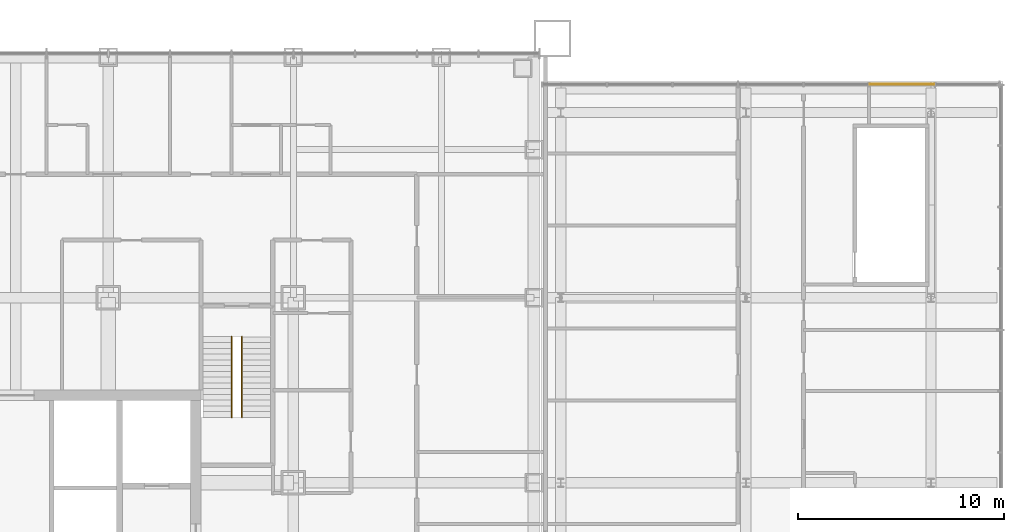
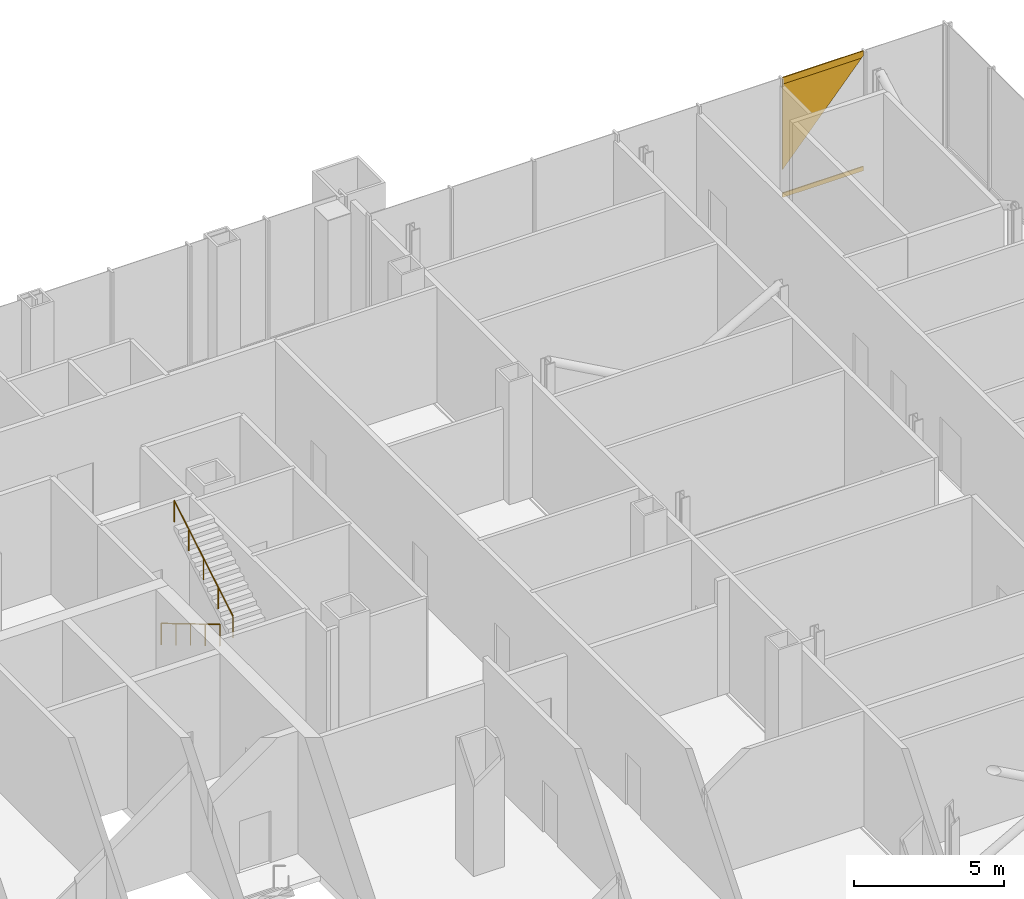
# One storey, part 26 of 28: 3 coverings, 2 railings.
"""IFC4 building model written with IfcOpenShell, lengths in metres."""

from ifc_helpers import new_model, si_unit, direction, frame, origin, origin_2d, place, context, subcontext, project, spatial, polyline, circle, outline, extrude, material, layer, layer_set, type_object, element, save


model = new_model("IFC4")

# Units and contexts
model_context = context("Model", 3, precision=1e-05, world=origin(), true_north=direction((0.0, 1.0)))
body_context = subcontext(model_context, "Body", "Model", "MODEL_VIEW")
ifc_project = project(units=[si_unit("LENGTHUNIT", "METRE"), si_unit("AREAUNIT", "SQUARE_METRE"), si_unit("VOLUMEUNIT", "CUBIC_METRE"), si_unit("PLANEANGLEUNIT", "RADIAN"), si_unit("MASSUNIT", "GRAM", prefix="KILO")], contexts=[model_context])

# Site, building, storey
site_placement = place(None, origin())
site = spatial("IfcSite", under=ifc_project, at=site_placement, CompositionType="ELEMENT")
building_placement = place(site_placement, origin())
building = spatial("IfcBuilding", under=site, at=building_placement, Name="Malebo Sky Hospital", CompositionType="ELEMENT")
storey_placement = place(building_placement, frame((0.0, 0.0, 21.0)))
storey = spatial("IfcBuildingStorey", under=building, at=storey_placement, Name="L04", CompositionType="ELEMENT", Elevation=21.0)

# Coverings
ifc_material_1 = material(Name="Anodised aluminium, natural silver insulated infill panel", Category="aluminium")
ifc_layer = layer(ifc_material_1, 0.0400390625)
ifc_layer_set = layer_set([ifc_layer], Name="BRACE INFILL PANEL 40")
covering_type = type_object("IfcCoveringType", Name="BRACE INFILL PANEL 40", PredefinedType="CLADDING", material=ifc_layer_set)
covering_1_placement = place(storey_placement, frame((103.05615234375, 85.875, 1.23681640625), z_axis=(0.0, 0.0, 1.0), x_axis=(-1.0, 0.0, 0.0)))
element("IfcCovering", 1, at=covering_1_placement, inside=storey, type_object=covering_type, Name="Brace infill panel 2.1", PredefinedType="CLADDING", context=body_context, shape_type="SweptSolid", body=[
    extrude(outline(polyline([(1.5224609375, 0.0), (1.5224609375, 3.483154296875), (-1.5224609375, 3.483154296875), (1.5224609375, 0.0)])), frame((0.0, 0.02001953125, 0.0), z_axis=(0.0, -1.0, 0.0), x_axis=(1.0, 0.0, 0.0)), (0.0, 0.0, 1.0), 0.0400390625),
])
covering_2_placement = place(storey_placement, frame((103.091064453125, 85.875, 0.10009765625), z_axis=(0.0, 0.0, 1.0), x_axis=(-1.0, 0.0, 0.0)))
element("IfcCovering", 2, at=covering_2_placement, inside=storey, type_object=covering_type, Name="Brace infill panel 2.2", PredefinedType="CLADDING", context=body_context, shape_type="SweptSolid", body=[
    extrude(outline(polyline([(-1.55712890625, 0.0), (1.55712890625, 0.0), (1.55712890625, 0.18017578125), (-1.55712890625, 0.18017578125), (-1.55712890625, 0.0)])), frame((0.0, 0.02001953125, 0.0), z_axis=(0.0, -1.0, 0.0), x_axis=(1.0, 0.0, 0.0)), (0.0, 0.0, 1.0), 0.0400390625),
])
covering_3_placement = place(storey_placement, frame((103.091064453125, 85.875, 4.7197265625), z_axis=(0.0, 0.0, 1.0), x_axis=(-1.0, 0.0, 0.0)))
element("IfcCovering", 3, at=covering_3_placement, inside=storey, type_object=covering_type, Name="Brace infill panel 2.3", PredefinedType="CLADDING", context=body_context, shape_type="SweptSolid", body=[
    extrude(outline(polyline([(-1.487548828125, 0.0), (1.55712890625, 0.0), (1.55712890625, 0.270263671875), (-1.55712890625, 0.270263671875), (-1.55712890625, 0.07958984375), (-1.487548828125, 0.0)])), frame((0.0, 0.02001953125, 0.0), z_axis=(0.0, -1.0, 0.0), x_axis=(1.0, 0.0, 0.0)), (0.0, 0.0, 1.0), 0.0400390625),
])

# Railings
ifc_material_2 = material(Name="Stainless steel tube", Category="steel")
railing_type = type_object("IfcRailingType", Name="STAIR HANDRAIL 900", PredefinedType="HANDRAIL", material=ifc_material_2)
railing_1_placement = place(storey_placement, frame((70.5, 73.60009765625, 0.166748046875)))
element("IfcRailing", 4, at=railing_1_placement, inside=storey, type_object=railing_type, Name="Stair handrail S3 flight 1", PredefinedType="HANDRAIL", context=body_context, shape_type="SweptSolid", body=[
    extrude(circle(Radius=0.02392578125, at=origin_2d()), frame((0.0, 0.0, 0.8759765625), z_axis=(0.0, -0.859310244771, 0.511454693235), x_axis=(1.0, 0.0, 0.0)), (0.0, 0.0, 1.0), 4.56201171875),
    extrude(circle(Radius=0.02099609375, at=origin_2d()), origin(), (0.0, 0.0, 1.0), 0.851806640625),
    extrude(circle(Radius=0.02099609375, at=origin_2d()), frame((0.0, -0.97998046875, 0.583251953125)), (0.0, 0.0, 1.0), 0.851806640625),
    extrude(circle(Radius=0.02099609375, at=origin_2d()), frame((0.0, -1.9599609375, 1.16650390625)), (0.0, 0.0, 1.0), 0.851806640625),
    extrude(circle(Radius=0.02099609375, at=origin_2d()), frame((0.0, -2.940185546875, 1.75)), (0.0, 0.0, 1.0), 0.851806640625),
    extrude(circle(Radius=0.02099609375, at=origin_2d()), frame((0.0, -3.920166015625, 2.333251953125)), (0.0, 0.0, 1.0), 0.851806640625),
])
railing_2_placement = place(storey_placement, frame((71.0, 69.679931640625, 2.666748046875)))
element("IfcRailing", 5, at=railing_2_placement, inside=storey, type_object=railing_type, Name="Stair handrail S3 flight 2", PredefinedType="HANDRAIL", context=body_context, shape_type="SweptSolid", body=[
    extrude(circle(Radius=0.02392578125, at=origin_2d()), frame((0.0, 0.0, 0.8759765625), z_axis=(0.0, 0.859310244771, 0.511454693235), x_axis=(-1.0, 0.0, 0.0)), (0.0, 0.0, 1.0), 4.56201171875),
    extrude(circle(Radius=0.02099609375, at=origin_2d()), origin(), (0.0, 0.0, 1.0), 0.851806640625),
    extrude(circle(Radius=0.02099609375, at=origin_2d()), frame((0.0, 0.97998046875, 0.583251953125)), (0.0, 0.0, 1.0), 0.851806640625),
    extrude(circle(Radius=0.02099609375, at=origin_2d()), frame((0.0, 1.9599609375, 1.16650390625)), (0.0, 0.0, 1.0), 0.851806640625),
    extrude(circle(Radius=0.02099609375, at=origin_2d()), frame((0.0, 2.940185546875, 1.75)), (0.0, 0.0, 1.0), 0.851806640625),
    extrude(circle(Radius=0.02099609375, at=origin_2d()), frame((0.0, 3.920166015625, 2.333251953125)), (0.0, 0.0, 1.0), 0.851806640625),
])

save(model, "model.ifc")
